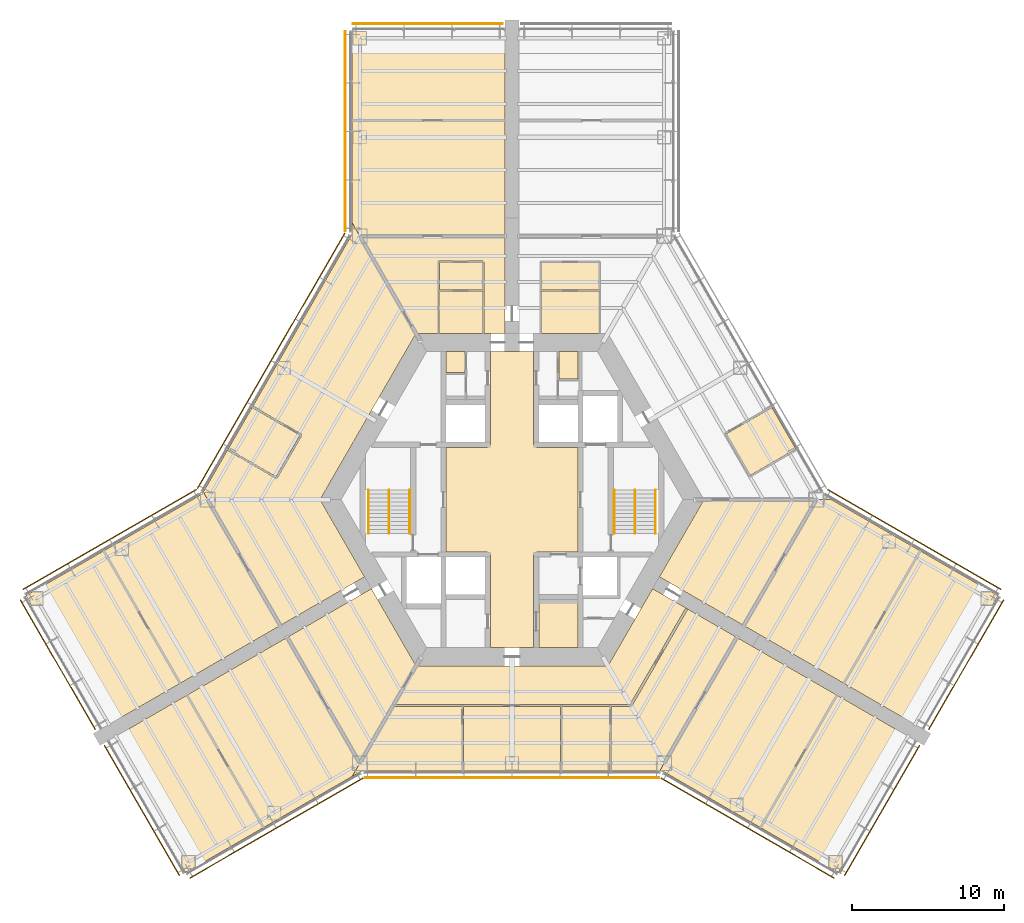
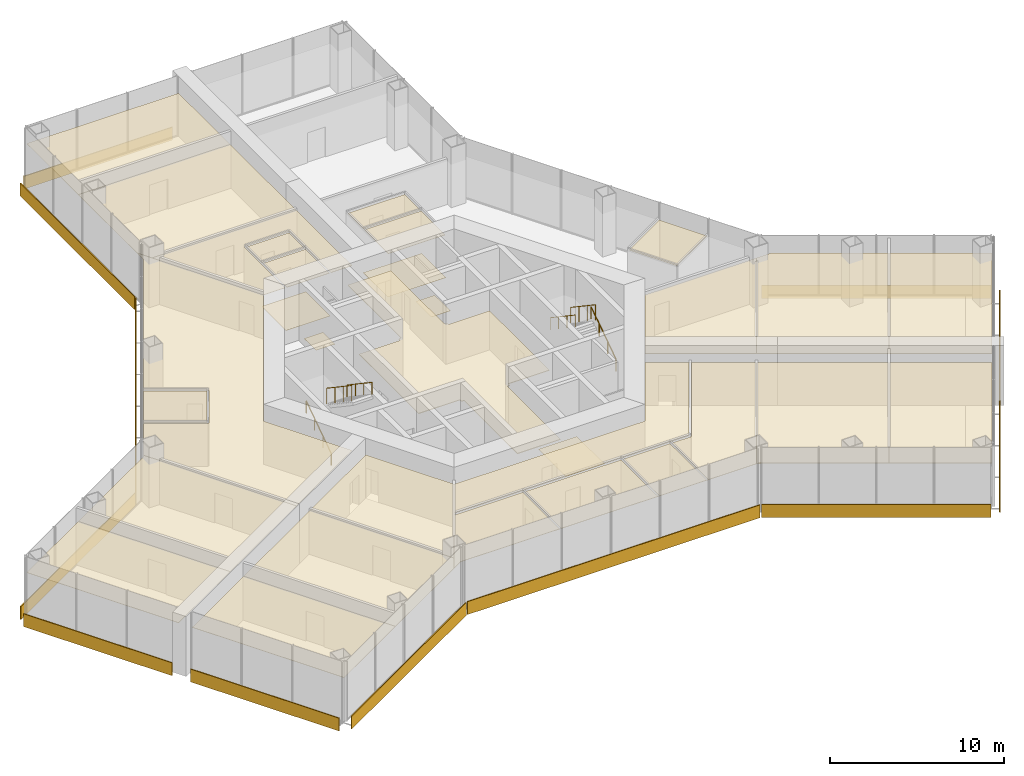
# One storey, part 15 of 16: 31 coverings, 12 shading devices, 6 railings.
"""IFC4 building model written with IfcOpenShell, lengths in metres."""

from ifc_helpers import new_model, si_unit, direction, frame, origin, origin_2d, place, context, subcontext, project, spatial, polyline, rectangle, circle, outline, extrude, material, layer, layer_set, type_object, element, save


model = new_model("IFC4")

# Units and contexts
model_context = context("Model", 3, precision=1e-05, world=origin(), true_north=direction((0.0, 1.0)))
body_context = subcontext(model_context, "Body", "Model", "MODEL_VIEW")
ifc_project = project(units=[si_unit("LENGTHUNIT", "METRE"), si_unit("AREAUNIT", "SQUARE_METRE"), si_unit("VOLUMEUNIT", "CUBIC_METRE"), si_unit("PLANEANGLEUNIT", "RADIAN"), si_unit("MASSUNIT", "GRAM", prefix="KILO")], contexts=[model_context])

# Site, building, storey
site_placement = place(None, origin())
site = spatial("IfcSite", under=ifc_project, at=site_placement, CompositionType="ELEMENT")
building_placement = place(site_placement, origin())
building = spatial("IfcBuilding", under=site, at=building_placement, Name="Kasaneha Research Tower", CompositionType="ELEMENT")
storey_placement = place(building_placement, frame((0.0, 0.0, 22.60009765625)))
storey = spatial("IfcBuildingStorey", under=building, at=storey_placement, Name="L06", CompositionType="ELEMENT", Elevation=22.60009765625)

# Coverings
ifc_material_1 = material(Name="Washable coated ceiling board", Category="gypsum")
ifc_layer_1 = layer(ifc_material_1, 0.02490234375)
ifc_layer_set_1 = layer_set([ifc_layer_1], Name="Laboratory ceiling 25")
covering_type_1 = type_object("IfcCoveringType", Name="Laboratory ceiling 25", PredefinedType="CEILING", material=ifc_layer_set_1)
covering_1_placement = place(storey_placement, frame((0.0, 0.0, 3.0)))
element("IfcCovering", 1, at=covering_1_placement, inside=storey, type_object=covering_type_1, Name="Ceiling L06-28", PredefinedType="CEILING", context=body_context, shape_type="SweptSolid", body=[
    extrude(outline(polyline([(1.949951171875, 10.925048828125), (1.949951171875, 13.675048828125), (5.70703125, 13.675048828125), (5.70703125, 10.925048828125), (1.949951171875, 10.925048828125)])), origin(), (0.0, 0.0, 1.0), 0.02490234375),
])
covering_2_placement = place(storey_placement, frame((0.0, 0.0, 3.0)))
element("IfcCovering", 2, at=covering_2_placement, inside=storey, type_object=covering_type_1, Name="Ceiling L06-29", PredefinedType="CEILING", context=body_context, shape_type="SweptSolid", body=[
    extrude(outline(polyline([(1.949951171875, 15.574951171875), (5.70703125, 15.574951171875), (5.70703125, 13.77490234375), (1.949951171875, 13.77490234375), (1.949951171875, 15.574951171875)])), origin(), (0.0, 0.0, 1.0), 0.02490234375),
])
covering_3_placement = place(storey_placement, frame((0.0, 0.0, 3.0)))
element("IfcCovering", 3, at=covering_3_placement, inside=storey, type_object=covering_type_1, Name="Ceiling L06-30", PredefinedType="CEILING", context=body_context, shape_type="SweptSolid", body=[
    extrude(outline(polyline([(18.679443359375, 3.287353515625), (18.662109375, 3.27734375), (18.63720703125, 3.320556640625), (15.66650390625, 1.605712890625), (14.093505859375, 4.33056640625), (17.072509765625, 6.050537109375), (17.047607421875, 6.09375), (17.05615234375, 6.098876953125), (18.679443359375, 3.287353515625)])), origin(), (0.0, 0.0, 1.0), 0.02490234375),
])
covering_4_placement = place(storey_placement, frame((0.0, 0.0, 3.0)))
element("IfcCovering", 4, at=covering_4_placement, inside=storey, type_object=covering_type_1, Name="Ceiling L06-34", PredefinedType="CEILING", context=body_context, shape_type="SweptSolid", body=[
    extrude(outline(polyline([(-4.778564453125, 10.925048828125), (-4.778564453125, 13.675048828125), (-1.949951171875, 13.675048828125), (-1.949951171875, 10.925048828125), (-4.778564453125, 10.925048828125)])), origin(), (0.0, 0.0, 1.0), 0.02490234375),
])
covering_5_placement = place(storey_placement, frame((0.0, 0.0, 3.0)))
element("IfcCovering", 5, at=covering_5_placement, inside=storey, type_object=covering_type_1, Name="Ceiling L06-35", PredefinedType="CEILING", context=body_context, shape_type="SweptSolid", body=[
    extrude(outline(polyline([(-4.778564453125, 15.574951171875), (-1.949951171875, 15.574951171875), (-1.949951171875, 13.77490234375), (-4.778564453125, 13.77490234375), (-4.778564453125, 15.574951171875)])), origin(), (0.0, 0.0, 1.0), 0.02490234375),
])
covering_6_placement = place(storey_placement, frame((0.0, 0.0, 3.0)))
element("IfcCovering", 6, at=covering_6_placement, inside=storey, type_object=covering_type_1, Name="Ceiling L06-36", PredefinedType="CEILING", context=body_context, shape_type="SweptSolid", body=[
    extrude(outline(polyline([(-1.85009765625, 10.925048828125), (-1.85009765625, 15.625), (-1.8994140625, 15.625), (-1.8994140625, 15.625), (-1.8994140625, 15.625), (-1.8994140625, 15.625244140625), (-1.899658203125, 15.625244140625), (-1.899658203125, 15.625244140625), (-1.899658203125, 15.625244140625), (-1.899658203125, 15.625244140625), (-1.899658203125, 15.625244140625), (-1.899658203125, 15.62548828125), (-1.899658203125, 15.62548828125), (-1.899658203125, 15.62548828125), (-1.89990234375, 15.62548828125), (-1.89990234375, 15.62548828125), (-1.89990234375, 15.62548828125), (-1.89990234375, 15.62548828125), (-1.89990234375, 15.62548828125), (-1.89990234375, 15.675048828125), (-4.82861328125, 15.675048828125), (-4.82861328125, 15.62548828125), (-4.82861328125, 15.62548828125), (-4.82861328125, 15.62548828125), (-4.82861328125, 15.62548828125), (-4.828857421875, 15.62548828125), (-4.828857421875, 15.62548828125), (-4.828857421875, 15.62548828125), (-4.828857421875, 15.62548828125), (-4.828857421875, 15.625244140625), (-4.828857421875, 15.625244140625), (-4.8291015625, 15.625244140625), (-4.8291015625, 15.625244140625), (-4.8291015625, 15.625244140625), (-4.8291015625, 15.625244140625), (-4.8291015625, 15.625), (-4.8291015625, 15.625), (-4.8291015625, 15.625), (-4.878662109375, 15.625), (-4.878662109375, 10.925048828125), (-6.3076171875, 10.925048828125), (-10.0, 17.320556640625), (-0.449951171875, 17.320556640625), (-0.449951171875, 12.72509765625), (-0.449951171875, 11.72509765625), (-0.449951171875, 10.925048828125), (-1.85009765625, 10.925048828125)])), origin(), (0.0, 0.0, 1.0), 0.02490234375),
])
covering_7_placement = place(storey_placement, frame((0.0, 0.0, 3.0)))
element("IfcCovering", 7, at=covering_7_placement, inside=storey, type_object=covering_type_1, Name="Ceiling L06-37", PredefinedType="CEILING", context=body_context, shape_type="SweptSolid", body=[
    extrude(outline(polyline([(-10.5, 24.92041015625), (-0.449951171875, 24.92041015625), (-0.449951171875, 17.320556640625), (-10.0, 17.320556640625), (-10.5, 18.1865234375), (-10.5, 24.92041015625)])), origin(), (0.0, 0.0, 1.0), 0.02490234375),
])
covering_8_placement = place(storey_placement, frame((0.0, 0.0, 3.0)))
element("IfcCovering", 8, at=covering_8_placement, inside=storey, type_object=covering_type_1, Name="Ceiling L06-38", PredefinedType="CEILING", context=body_context, shape_type="SweptSolid", body=[
    extrude(outline(polyline([(-0.449951171875, 30.820556640625), (-0.449951171875, 24.92041015625), (-10.5, 24.92041015625), (-10.5, 30.820556640625), (-0.449951171875, 30.820556640625)])), origin(), (0.0, 0.0, 1.0), 0.02490234375),
])
covering_9_placement = place(storey_placement, frame((0.0, 0.0, 3.0)))
element("IfcCovering", 9, at=covering_9_placement, inside=storey, type_object=covering_type_1, Name="Ceiling L06-39", PredefinedType="CEILING", context=body_context, shape_type="SweptSolid", body=[
    extrude(outline(polyline([(-17.05615234375, 6.098876953125), (-17.047607421875, 6.09375), (-17.072509765625, 6.050537109375), (-13.920166015625, 4.23046875), (-15.493408203125, 1.505615234375), (-18.63720703125, 3.320556640625), (-18.662109375, 3.27734375), (-18.679443359375, 3.287353515625), (-17.05615234375, 6.098876953125)])), origin(), (0.0, 0.0, 1.0), 0.02490234375),
])
covering_10_placement = place(storey_placement, frame((0.0, 0.0, 3.0)))
element("IfcCovering", 10, at=covering_10_placement, inside=storey, type_object=covering_type_1, Name="Ceiling L06-40", PredefinedType="CEILING", context=body_context, shape_type="SweptSolid", body=[
    extrude(outline(polyline([(-9.686279296875, -5.07275390625), (-15.22509765625, -8.2705078125), (-20.28857421875, 0.5), (-18.6796875, 3.286865234375), (-18.662353515625, 3.27685546875), (-18.68701171875, 3.23388671875), (-15.5, 1.39404296875), (-15.475341796875, 1.43701171875), (-15.474853515625, 1.436767578125), (-15.474853515625, 1.43701171875), (-15.431884765625, 1.412353515625), (-13.80859375, 4.223876953125), (-13.851806640625, 4.248779296875), (-13.826904296875, 4.2919921875), (-17.022705078125, 6.13720703125), (-17.04736328125, 6.09423828125), (-17.055908203125, 6.09912109375), (-10.5, 17.45458984375), (-10.5, 18.1865234375), (-6.3076171875, 10.925048828125), (-12.614990234375, 0.0), (-9.686279296875, -5.07275390625)])), origin(), (0.0, 0.0, 1.0), 0.02490234375),
])
covering_11_placement = place(storey_placement, frame((0.0, 0.0, 3.0)))
element("IfcCovering", 11, at=covering_11_placement, inside=storey, type_object=covering_type_1, Name="Ceiling L06-41", PredefinedType="CEILING", context=body_context, shape_type="SweptSolid", body=[
    extrude(outline(polyline([(-26.831787109375, -3.366943359375), (-20.365966796875, 0.365966796875), (-20.28857421875, 0.5), (-15.22509765625, -8.2705078125), (-21.806884765625, -12.070556640625), (-26.831787109375, -3.366943359375)])), origin(), (0.0, 0.0, 1.0), 0.02490234375),
])
covering_12_placement = place(storey_placement, frame((0.0, 0.0, 3.0)))
element("IfcCovering", 12, at=covering_12_placement, inside=storey, type_object=covering_type_1, Name="Ceiling L06-42", PredefinedType="CEILING", context=body_context, shape_type="SweptSolid", body=[
    extrude(outline(polyline([(-31.94140625, -6.31689453125), (-26.831787109375, -3.366943359375), (-21.806884765625, -12.070556640625), (-26.916259765625, -15.0205078125), (-31.94140625, -6.31689453125)])), origin(), (0.0, 0.0, 1.0), 0.02490234375),
])
covering_13_placement = place(storey_placement, frame((0.0, 0.0, 3.0)))
element("IfcCovering", 13, at=covering_13_placement, inside=storey, type_object=covering_type_1, Name="Ceiling L06-43", PredefinedType="CEILING", context=body_context, shape_type="SweptSolid", body=[
    extrude(outline(polyline([(-9.236328125, -5.852294921875), (-6.3076171875, -10.925048828125), (-7.765380859375, -13.449951171875), (-7.78564453125, -13.449951171875), (-7.78564453125, -13.485107421875), (-10.0, -17.320556640625), (-14.77490234375, -9.050048828125), (-9.92919921875, -6.252197265625), (-9.92919921875, -6.252197265625), (-9.236328125, -5.852294921875)])), origin(), (0.0, 0.0, 1.0), 0.02490234375),
])
covering_14_placement = place(storey_placement, frame((0.0, 0.0, 3.0)))
element("IfcCovering", 14, at=covering_14_placement, inside=storey, type_object=covering_type_1, Name="Ceiling L06-44", PredefinedType="CEILING", context=body_context, shape_type="SweptSolid", body=[
    extrude(outline(polyline([(-21.44140625, -24.50341796875), (-26.46630859375, -15.800048828125), (-21.356689453125, -12.849853515625), (-16.331787109375, -21.553466796875), (-21.44140625, -24.50341796875)])), origin(), (0.0, 0.0, 1.0), 0.02490234375),
])
covering_15_placement = place(storey_placement, frame((0.0, 0.0, 3.0)))
element("IfcCovering", 15, at=covering_15_placement, inside=storey, type_object=covering_type_1, Name="Ceiling L06-45", PredefinedType="CEILING", context=body_context, shape_type="SweptSolid", body=[
    extrude(outline(polyline([(-10.5, -18.1865234375), (-16.331787109375, -21.553466796875), (-21.356689453125, -12.849853515625), (-14.77490234375, -9.050048828125), (-10.0, -17.320556640625), (-10.5, -18.1865234375)])), origin(), (0.0, 0.0, 1.0), 0.02490234375),
])
covering_16_placement = place(storey_placement, frame((0.0, 0.0, 3.0)))
element("IfcCovering", 16, at=covering_16_placement, inside=storey, type_object=covering_type_1, Name="Ceiling L06-46", PredefinedType="CEILING", context=body_context, shape_type="SweptSolid", body=[
    extrude(outline(polyline([(11.2451171875, -5.972900390625), (10.379150390625, -5.472900390625), (9.686279296875, -5.07275390625), (12.614990234375, 0.0), (20.0, 0.0), (15.22509765625, -8.2705078125), (14.55810546875, -7.885498046875), (11.2451171875, -5.972900390625)])), origin(), (0.0, 0.0, 1.0), 0.02490234375),
])
covering_17_placement = place(storey_placement, frame((0.0, 0.0, 3.0)))
element("IfcCovering", 17, at=covering_17_placement, inside=storey, type_object=covering_type_1, Name="Ceiling L06-47", PredefinedType="CEILING", context=body_context, shape_type="SweptSolid", body=[
    extrude(outline(polyline([(26.831787109375, -3.366943359375), (31.94140625, -6.31689453125), (26.916259765625, -15.0205078125), (21.806884765625, -12.070556640625), (26.831787109375, -3.366943359375)])), origin(), (0.0, 0.0, 1.0), 0.02490234375),
])
covering_18_placement = place(storey_placement, frame((0.0, 0.0, 3.0)))
element("IfcCovering", 18, at=covering_18_placement, inside=storey, type_object=covering_type_1, Name="Ceiling L06-48", PredefinedType="CEILING", context=body_context, shape_type="SweptSolid", body=[
    extrude(outline(polyline([(20.0, 0.0), (21.0, 0.0), (26.831787109375, -3.366943359375), (21.806884765625, -12.070556640625), (15.22509765625, -8.2705078125), (20.0, 0.0)])), origin(), (0.0, 0.0, 1.0), 0.02490234375),
])
covering_19_placement = place(storey_placement, frame((0.0, 0.0, 3.0)))
element("IfcCovering", 19, at=covering_19_placement, inside=storey, type_object=covering_type_1, Name="Ceiling L06-49", PredefinedType="CEILING", context=body_context, shape_type="SweptSolid", body=[
    extrude(outline(polyline([(-6.3076171875, -10.925048828125), (6.3076171875, -10.925048828125), (9.236328125, -5.852294921875), (11.488037109375, -7.152099609375), (11.47802734375, -7.16943359375), (11.4130859375, -7.132080078125), (7.765380859375, -13.449951171875), (6.497802734375, -13.449951171875), (6.48828125, -13.449951171875), (3.2509765625, -13.449951171875), (3.241455078125, -13.449951171875), (-3.241455078125, -13.449951171875), (-3.2509765625, -13.449951171875), (-7.765380859375, -13.449951171875), (-6.3076171875, -10.925048828125)])), origin(), (0.0, 0.0, 1.0), 0.02490234375),
])
covering_20_placement = place(storey_placement, frame((0.0, 0.0, 3.0)))
element("IfcCovering", 20, at=covering_20_placement, inside=storey, type_object=covering_type_1, Name="Ceiling L06-50", PredefinedType="CEILING", context=body_context, shape_type="SweptSolid", body=[
    extrude(outline(polyline([(-10.50048828125, -18.1865234375), (-7.80908203125, -13.52490234375), (-7.78564453125, -13.52490234375), (-7.78564453125, -13.60009765625), (-3.30078125, -13.60009765625), (-3.29638671875, -17.800537109375), (-3.246337890625, -17.800537109375), (-3.246337890625, -17.820556640625), (-9.865966796875, -17.821044921875), (-10.50048828125, -18.1865234375)])), origin(), (0.0, 0.0, 1.0), 0.02490234375),
])
covering_21_placement = place(storey_placement, frame((0.0, 0.0, 3.0)))
element("IfcCovering", 21, at=covering_21_placement, inside=storey, type_object=covering_type_1, Name="Ceiling L06-51", PredefinedType="CEILING", context=body_context, shape_type="SweptSolid", body=[
    extrude(outline(polyline([(3.246337890625, -17.800537109375), (3.29638671875, -17.800537109375), (3.30078125, -13.60009765625), (6.4384765625, -13.60009765625), (6.44287109375, -17.800537109375), (6.492919921875, -17.800537109375), (6.492919921875, -17.820556640625), (3.246337890625, -17.820556640625), (3.246337890625, -17.800537109375)])), origin(), (0.0, 0.0, 1.0), 0.02490234375),
])
covering_22_placement = place(storey_placement, frame((0.0, 0.0, 3.0)))
element("IfcCovering", 22, at=covering_22_placement, inside=storey, type_object=covering_type_1, Name="Ceiling L06-52", PredefinedType="CEILING", context=body_context, shape_type="SweptSolid", body=[
    extrude(outline(polyline([(7.80908203125, -13.525390625), (7.80908203125, -13.525146484375), (7.87353515625, -13.5625), (11.54296875, -7.20703125), (11.478515625, -7.169677734375), (11.488525390625, -7.15234375), (12.860107421875, -7.9443359375), (14.77490234375, -9.050048828125), (9.71142578125, -17.820556640625), (6.493408203125, -17.820556640625), (6.493408203125, -17.800537109375), (6.542724609375, -17.800537109375), (6.538330078125, -13.60009765625), (7.80859375, -13.60009765625), (7.80859375, -13.525390625), (7.80908203125, -13.525390625)])), origin(), (0.0, 0.0, 1.0), 0.02490234375),
])
covering_23_placement = place(storey_placement, frame((0.0, 0.0, 3.0)))
element("IfcCovering", 23, at=covering_23_placement, inside=storey, type_object=covering_type_1, Name="Ceiling L06-53", PredefinedType="CEILING", context=body_context, shape_type="SweptSolid", body=[
    extrude(outline(polyline([(3.245849609375, -17.820556640625), (-3.245849609375, -17.820556640625), (-3.245849609375, -17.800537109375), (-3.1962890625, -17.800537109375), (-3.200927734375, -13.60009765625), (3.200927734375, -13.60009765625), (3.1962890625, -17.800537109375), (3.245849609375, -17.800537109375), (3.245849609375, -17.820556640625)])), origin(), (0.0, 0.0, 1.0), 0.02490234375),
])
covering_24_placement = place(storey_placement, frame((0.0, 0.0, 3.0)))
element("IfcCovering", 24, at=covering_24_placement, inside=storey, type_object=covering_type_1, Name="Ceiling L06-54", PredefinedType="CEILING", context=body_context, shape_type="SweptSolid", body=[
    extrude(outline(polyline([(14.77490234375, -9.050048828125), (21.356689453125, -12.849853515625), (16.331787109375, -21.553466796875), (9.865966796875, -17.820556640625), (9.71142578125, -17.820556640625), (14.77490234375, -9.050048828125)])), origin(), (0.0, 0.0, 1.0), 0.02490234375),
])
covering_25_placement = place(storey_placement, frame((0.0, 0.0, 3.0)))
element("IfcCovering", 25, at=covering_25_placement, inside=storey, type_object=covering_type_1, Name="Ceiling L06-55", PredefinedType="CEILING", context=body_context, shape_type="SweptSolid", body=[
    extrude(outline(polyline([(21.44140625, -24.50341796875), (16.331787109375, -21.553466796875), (21.356689453125, -12.849853515625), (26.46630859375, -15.800048828125), (21.44140625, -24.50341796875)])), origin(), (0.0, 0.0, 1.0), 0.02490234375),
])
ifc_material_2 = material(Name="Aluminium panel ceiling", Category="aluminium")
ifc_layer_2 = layer(ifc_material_2, 0.0400390625)
ifc_layer_set_2 = layer_set([ifc_layer_2], Name="Lift lobby ceiling 40")
covering_type_2 = type_object("IfcCoveringType", Name="Lift lobby ceiling 40", PredefinedType="CEILING", material=ifc_layer_set_2)
covering_26_placement = place(storey_placement, frame((0.0, 0.0, 2.699951171875)))
element("IfcCovering", 26, at=covering_26_placement, inside=storey, type_object=covering_type_2, Name="Ceiling L06-01", PredefinedType="CEILING", context=body_context, shape_type="SweptSolid", body=[
    extrude(outline(polyline([(1.425048828125, 9.72509765625), (1.425048828125, 3.60009765625), (1.60009765625, 3.60009765625), (1.60009765625, 3.425048828125), (4.324951171875, 3.425048828125), (4.324951171875, -3.425048828125), (1.60009765625, -3.425048828125), (1.60009765625, -3.60009765625), (1.425048828125, -3.60009765625), (1.425048828125, -9.72509765625), (-1.425048828125, -9.72509765625), (-1.425048828125, -3.60009765625), (-1.60009765625, -3.60009765625), (-1.60009765625, -3.425048828125), (-4.324951171875, -3.425048828125), (-4.324951171875, 3.425048828125), (-1.60009765625, 3.425048828125), (-1.60009765625, 3.60009765625), (-1.425048828125, 3.60009765625), (-1.425048828125, 9.72509765625), (1.425048828125, 9.72509765625)])), origin(), (0.0, 0.0, 1.0), 0.0400390625),
])

# Railings
ifc_material_3 = material(Name="Steel", Category="steel")
railing_type_1 = type_object("IfcRailingType", Name="Stair balustrade 1100", PredefinedType="GUARDRAIL", material=ifc_material_3)
for number, where, name in (
    (27, (8.074951171875, 0.635009765625, 2.27490234375), "Stair 1 balustrade L06"),
    (28, (-8.074951171875, 0.635009765625, 2.27490234375), "Stair 2 balustrade L06"),
):
    element("IfcRailing", number, at=place(storey_placement, frame(where)), inside=storey, type_object=railing_type_1, Name=name, PredefinedType="GUARDRAIL", context=body_context, shape_type="SweptSolid", body=[
        extrude(circle(Radius=0.02392578125, at=origin_2d()), frame((0.0, 0.0, 1.076171875), z_axis=(0.0, -0.829590901723, 0.558371682465), x_axis=(1.0, 0.0, 0.0)), (0.0, 0.0, 1.0), 3.447509765625),
        extrude(circle(Radius=0.02099609375, at=origin_2d()), origin(), (0.0, 0.0, 1.0), 1.052001953125),
        extrude(circle(Radius=0.02099609375, at=origin_2d()), frame((0.0, -0.953369140625, 0.6416015625)), (0.0, 0.0, 1.0), 1.052001953125),
        extrude(circle(Radius=0.02099609375, at=origin_2d()), frame((0.0, -1.90673828125, 1.283447265625)), (0.0, 0.0, 1.0), 1.052001953125),
        extrude(circle(Radius=0.02099609375, at=origin_2d()), frame((0.0, -2.860107421875, 1.925048828125)), (0.0, 0.0, 1.0), 1.052001953125),
    ])
ifc_material_4 = material(Name="Steel", Category="steel")
railing_type_2 = type_object("IfcRailingType", Name="Stair handrail 850", PredefinedType="HANDRAIL", material=ifc_material_4)
railing_1_placement = place(storey_placement, frame((9.425048828125, -2.22509765625, 0.1748046875)))
element("IfcRailing", 29, at=railing_1_placement, inside=storey, type_object=railing_type_2, Name="Stair 1 handrail L06", PredefinedType="HANDRAIL", context=body_context, shape_type="SweptSolid", body=[
    extrude(circle(Radius=0.02392578125, at=origin_2d()), frame((0.0, 0.0, 0.826171875), z_axis=(0.0, 0.829590901723, 0.558371682465), x_axis=(-1.0, 0.0, 0.0)), (0.0, 0.0, 1.0), 3.447509765625),
    extrude(circle(Radius=0.02099609375, at=origin_2d()), origin(), (0.0, 0.0, 1.0), 0.802001953125),
    extrude(circle(Radius=0.02099609375, at=origin_2d()), frame((0.0, 0.953369140625, 0.6416015625)), (0.0, 0.0, 1.0), 0.802001953125),
    extrude(circle(Radius=0.02099609375, at=origin_2d()), frame((0.0, 1.90673828125, 1.283447265625)), (0.0, 0.0, 1.0), 0.802001953125),
    extrude(circle(Radius=0.02099609375, at=origin_2d()), frame((0.0, 2.860107421875, 1.925048828125)), (0.0, 0.0, 1.0), 0.802001953125),
])
railing_2_placement = place(storey_placement, frame((6.72509765625, 0.635009765625, 2.27490234375)))
element("IfcRailing", 30, at=railing_2_placement, inside=storey, type_object=railing_type_2, Name="Stair 1 handrail L06", PredefinedType="HANDRAIL", context=body_context, shape_type="SweptSolid", body=[
    extrude(circle(Radius=0.02392578125, at=origin_2d()), frame((0.0, 0.0, 0.826171875), z_axis=(0.0, -0.829590901723, 0.558371682465), x_axis=(1.0, 0.0, 0.0)), (0.0, 0.0, 1.0), 3.447509765625),
    extrude(circle(Radius=0.02099609375, at=origin_2d()), origin(), (0.0, 0.0, 1.0), 0.802001953125),
    extrude(circle(Radius=0.02099609375, at=origin_2d()), frame((0.0, -0.953369140625, 0.6416015625)), (0.0, 0.0, 1.0), 0.802001953125),
    extrude(circle(Radius=0.02099609375, at=origin_2d()), frame((0.0, -1.90673828125, 1.283447265625)), (0.0, 0.0, 1.0), 0.802001953125),
    extrude(circle(Radius=0.02099609375, at=origin_2d()), frame((0.0, -2.860107421875, 1.925048828125)), (0.0, 0.0, 1.0), 0.802001953125),
])
railing_3_placement = place(storey_placement, frame((-9.425048828125, -2.22509765625, 0.1748046875)))
element("IfcRailing", 31, at=railing_3_placement, inside=storey, type_object=railing_type_2, Name="Stair 2 handrail L06", PredefinedType="HANDRAIL", context=body_context, shape_type="SweptSolid", body=[
    extrude(circle(Radius=0.02392578125, at=origin_2d()), frame((0.0, 0.0, 0.826171875), z_axis=(0.0, 0.829590901723, 0.558371682465), x_axis=(-1.0, 0.0, 0.0)), (0.0, 0.0, 1.0), 3.447509765625),
    extrude(circle(Radius=0.02099609375, at=origin_2d()), origin(), (0.0, 0.0, 1.0), 0.802001953125),
    extrude(circle(Radius=0.02099609375, at=origin_2d()), frame((0.0, 0.953369140625, 0.6416015625)), (0.0, 0.0, 1.0), 0.802001953125),
    extrude(circle(Radius=0.02099609375, at=origin_2d()), frame((0.0, 1.90673828125, 1.283447265625)), (0.0, 0.0, 1.0), 0.802001953125),
    extrude(circle(Radius=0.02099609375, at=origin_2d()), frame((0.0, 2.860107421875, 1.925048828125)), (0.0, 0.0, 1.0), 0.802001953125),
])
railing_4_placement = place(storey_placement, frame((-6.72509765625, 0.635009765625, 2.27490234375)))
element("IfcRailing", 32, at=railing_4_placement, inside=storey, type_object=railing_type_2, Name="Stair 2 handrail L06", PredefinedType="HANDRAIL", context=body_context, shape_type="SweptSolid", body=[
    extrude(circle(Radius=0.02392578125, at=origin_2d()), frame((0.0, 0.0, 0.826171875), z_axis=(0.0, -0.829590901723, 0.558371682465), x_axis=(1.0, 0.0, 0.0)), (0.0, 0.0, 1.0), 3.447509765625),
    extrude(circle(Radius=0.02099609375, at=origin_2d()), origin(), (0.0, 0.0, 1.0), 0.802001953125),
    extrude(circle(Radius=0.02099609375, at=origin_2d()), frame((0.0, -0.953369140625, 0.6416015625)), (0.0, 0.0, 1.0), 0.802001953125),
    extrude(circle(Radius=0.02099609375, at=origin_2d()), frame((0.0, -1.90673828125, 1.283447265625)), (0.0, 0.0, 1.0), 0.802001953125),
    extrude(circle(Radius=0.02099609375, at=origin_2d()), frame((0.0, -2.860107421875, 1.925048828125)), (0.0, 0.0, 1.0), 0.802001953125),
])

# Shading devices
ifc_material_5 = material(Name="Terracotta", Category="masonry")
ifc_layer_3 = layer(ifc_material_5, 0.06005859375)
ifc_layer_set_3 = layer_set([ifc_layer_3], Name="Terracotta baguette screen")
shading_device_type = type_object("IfcShadingDeviceType", Name="Terracotta baguette screen", PredefinedType="USERDEFINED", material=ifc_layer_set_3)
shading_device_1_placement = place(storey_placement, frame((-15.483642578125, -21.58349609375, -0.449951171875), z_axis=(0.0, 0.0, 1.0), x_axis=(0.866025411464, 0.499999986699, 0.0)))
element("IfcShadingDevice", 33, at=shading_device_1_placement, inside=storey, type_object=shading_device_type, Name="Baguette screen L06 01", ObjectType="TERRACOTTA BAGUETTE SCREEN", PredefinedType="USERDEFINED", context=body_context, shape_type="SweptSolid", body=[
    extrude(rectangle(XDim=13.13916015625, YDim=0.06005859375, at=origin_2d()), origin(), (0.0, 0.0, 1.0), 0.89990234375),
])
shading_device_2_placement = place(storey_placement, frame((0.0, -18.2705078125, -0.449951171875), z_axis=(0.0, 0.0, 1.0), x_axis=(1.0, 0.0, 0.0)))
element("IfcShadingDevice", 34, at=shading_device_2_placement, inside=storey, type_object=shading_device_type, Name="Baguette screen L06 02", ObjectType="TERRACOTTA BAGUETTE SCREEN", PredefinedType="USERDEFINED", context=body_context, shape_type="SweptSolid", body=[
    extrude(rectangle(XDim=19.37841796875, YDim=0.06005859375, at=origin_2d()), origin(), (0.0, 0.0, 1.0), 0.89990234375),
])
shading_device_3_placement = place(storey_placement, frame((15.483642578125, -21.58349609375, -0.449951171875), z_axis=(0.0, 0.0, 1.0), x_axis=(0.866025411464, -0.499999986699, 0.0)))
element("IfcShadingDevice", 35, at=shading_device_3_placement, inside=storey, type_object=shading_device_type, Name="Baguette screen L06 03", ObjectType="TERRACOTTA BAGUETTE SCREEN", PredefinedType="USERDEFINED", context=body_context, shape_type="SweptSolid", body=[
    extrude(rectangle(XDim=13.13916015625, YDim=0.06005859375, at=origin_2d()), origin(), (0.0, 0.0, 1.0), 0.89990234375),
])
for number, where, z_axis, x_axis, name in (
    (36, (24.318603515625, -20.420166015625, -0.449951171875), (0.0, 0.0, 1.0), (0.500000011442, 0.866025397178, 0.0), "Baguette screen L06 04"),
    (37, (29.843505859375, -10.850341796875, -0.449951171875), (0.0, 0.0, 1.0), (0.500000011442, 0.866025397178, 0.0), "Baguette screen L06 05"),
):
    element("IfcShadingDevice", number, at=place(storey_placement, frame(where, z_axis=z_axis, x_axis=x_axis)), inside=storey, type_object=shading_device_type, Name=name, ObjectType="TERRACOTTA BAGUETTE SCREEN", PredefinedType="USERDEFINED", context=body_context, shape_type="SweptSolid", body=[
        extrude(rectangle(XDim=9.85009765625, YDim=0.06005859375, at=origin_2d()), origin(), (0.0, 0.0, 1.0), 0.89990234375),
    ])
shading_device_4_placement = place(storey_placement, frame((26.43359375, -2.617431640625, -0.449951171875), z_axis=(0.0, 0.0, 1.0), x_axis=(-0.866025411464, 0.499999986699, 0.0)))
element("IfcShadingDevice", 38, at=shading_device_4_placement, inside=storey, type_object=shading_device_type, Name="Baguette screen L06 06", ObjectType="TERRACOTTA BAGUETTE SCREEN", PredefinedType="USERDEFINED", context=body_context, shape_type="SweptSolid", body=[
    extrude(rectangle(XDim=13.13916015625, YDim=0.06005859375, at=origin_2d()), origin(), (0.0, 0.0, 1.0), 0.89990234375),
])
shading_device_5_placement = place(storey_placement, frame((-5.52490234375, 31.2705078125, -0.449951171875), z_axis=(0.0, 0.0, 1.0), x_axis=(-1.0, 0.0, 0.0)))
element("IfcShadingDevice", 39, at=shading_device_5_placement, inside=storey, type_object=shading_device_type, Name="Baguette screen L06 10", ObjectType="TERRACOTTA BAGUETTE SCREEN", PredefinedType="USERDEFINED", context=body_context, shape_type="SweptSolid", body=[
    extrude(rectangle(XDim=9.85009765625, YDim=0.06005859375, at=origin_2d()), origin(), (0.0, 0.0, 1.0), 0.89990234375),
])
shading_device_6_placement = place(storey_placement, frame((-10.949951171875, 24.200927734375, -0.449951171875), z_axis=(0.0, 0.0, 1.0), x_axis=(0.0, -1.0, 0.0)))
element("IfcShadingDevice", 40, at=shading_device_6_placement, inside=storey, type_object=shading_device_type, Name="Baguette screen L06 11", ObjectType="TERRACOTTA BAGUETTE SCREEN", PredefinedType="USERDEFINED", context=body_context, shape_type="SweptSolid", body=[
    extrude(rectangle(XDim=13.13916015625, YDim=0.06005859375, at=origin_2d()), origin(), (0.0, 0.0, 1.0), 0.89990234375),
])
shading_device_7_placement = place(storey_placement, frame((-15.82275390625, 9.13525390625, -0.449951171875), z_axis=(0.0, 0.0, 1.0), x_axis=(-0.49999996188, -0.866025425793, 0.0)))
element("IfcShadingDevice", 41, at=shading_device_7_placement, inside=storey, type_object=shading_device_type, Name="Baguette screen L06 12", ObjectType="TERRACOTTA BAGUETTE SCREEN", PredefinedType="USERDEFINED", context=body_context, shape_type="SweptSolid", body=[
    extrude(rectangle(XDim=19.37841796875, YDim=0.06005859375, at=origin_2d()), origin(), (0.0, 0.0, 1.0), 0.89990234375),
])
shading_device_8_placement = place(storey_placement, frame((-26.43359375, -2.617431640625, -0.449951171875), z_axis=(0.0, 0.0, 1.0), x_axis=(-0.866025411464, -0.499999986699, 0.0)))
element("IfcShadingDevice", 42, at=shading_device_8_placement, inside=storey, type_object=shading_device_type, Name="Baguette screen L06 13", ObjectType="TERRACOTTA BAGUETTE SCREEN", PredefinedType="USERDEFINED", context=body_context, shape_type="SweptSolid", body=[
    extrude(rectangle(XDim=13.13916015625, YDim=0.06005859375, at=origin_2d()), origin(), (0.0, 0.0, 1.0), 0.89990234375),
])
for number, where, z_axis, x_axis, name in (
    (43, (-29.843505859375, -10.850341796875, -0.449951171875), (0.0, 0.0, 1.0), (0.500000011442, -0.866025397178, 0.0), "Baguette screen L06 14"),
    (44, (-24.318603515625, -20.420166015625, -0.449951171875), (0.0, 0.0, 1.0), (0.500000011442, -0.866025397178, 0.0), "Baguette screen L06 15"),
):
    element("IfcShadingDevice", number, at=place(storey_placement, frame(where, z_axis=z_axis, x_axis=x_axis)), inside=storey, type_object=shading_device_type, Name=name, ObjectType="TERRACOTTA BAGUETTE SCREEN", PredefinedType="USERDEFINED", context=body_context, shape_type="SweptSolid", body=[
        extrude(rectangle(XDim=9.85009765625, YDim=0.06005859375, at=origin_2d()), origin(), (0.0, 0.0, 1.0), 0.89990234375),
    ])

# Coverings
ifc_material_6 = material(Name="Vinyl sheet flooring", Category="plastic")
ifc_layer_4 = layer(ifc_material_6, 0.0048828125)
ifc_layer_set_4 = layer_set([ifc_layer_4], Name="Wet room sheet flooring 5")
covering_type_3 = type_object("IfcCoveringType", Name="Wet room sheet flooring 5", PredefinedType="FLOORING", material=ifc_layer_set_4)
covering_27_placement = place(storey_placement, origin())
element("IfcCovering", 45, at=covering_27_placement, inside=storey, type_object=covering_type_3, Name="Floor finish L06-07", PredefinedType="FLOORING", context=body_context, shape_type="SweptSolid", body=[
    extrude(outline(polyline([(-4.324951171875, 8.35498046875), (-4.324951171875, 9.72509765625), (-3.074951171875, 9.72509765625), (-3.074951171875, 8.35498046875), (-4.324951171875, 8.35498046875)])), origin(), (0.0, 0.0, 1.0), 0.0048828125),
])
covering_28_placement = place(storey_placement, origin())
element("IfcCovering", 46, at=covering_28_placement, inside=storey, type_object=covering_type_3, Name="Floor finish L06-10", PredefinedType="FLOORING", context=body_context, shape_type="SweptSolid", body=[
    extrude(outline(polyline([(4.324951171875, 7.925048828125), (3.074951171875, 7.925048828125), (3.074951171875, 9.72509765625), (4.324951171875, 9.72509765625), (4.324951171875, 7.925048828125)])), origin(), (0.0, 0.0, 1.0), 0.0048828125),
])
covering_29_placement = place(storey_placement, origin())
element("IfcCovering", 47, at=covering_29_placement, inside=storey, type_object=covering_type_3, Name="Floor finish L06-13", PredefinedType="FLOORING", context=body_context, shape_type="SweptSolid", body=[
    extrude(outline(polyline([(1.77490234375, -9.72509765625), (1.77490234375, -6.574951171875), (4.324951171875, -6.574951171875), (4.324951171875, -9.72509765625), (1.77490234375, -9.72509765625)])), origin(), (0.0, 0.0, 1.0), 0.0048828125),
])
covering_30_placement = place(storey_placement, origin())
element("IfcCovering", 48, at=covering_30_placement, inside=storey, type_object=covering_type_3, Name="Floor finish L06-28", PredefinedType="FLOORING", context=body_context, shape_type="SweptSolid", body=[
    extrude(outline(polyline([(1.89990234375, 13.72509765625), (5.757080078125, 13.72509765625), (5.757080078125, 10.925048828125), (1.89990234375, 10.925048828125), (1.89990234375, 13.72509765625)])), origin(), (0.0, 0.0, 1.0), 0.0048828125),
])
covering_31_placement = place(storey_placement, origin())
element("IfcCovering", 49, at=covering_31_placement, inside=storey, type_object=covering_type_3, Name="Floor finish L06-34", PredefinedType="FLOORING", context=body_context, shape_type="SweptSolid", body=[
    extrude(outline(polyline([(-4.82861328125, 10.925048828125), (-4.82861328125, 13.72509765625), (-1.89990234375, 13.72509765625), (-1.89990234375, 10.925048828125), (-4.82861328125, 10.925048828125)])), origin(), (0.0, 0.0, 1.0), 0.0048828125),
])

save(model, "model.ifc")
